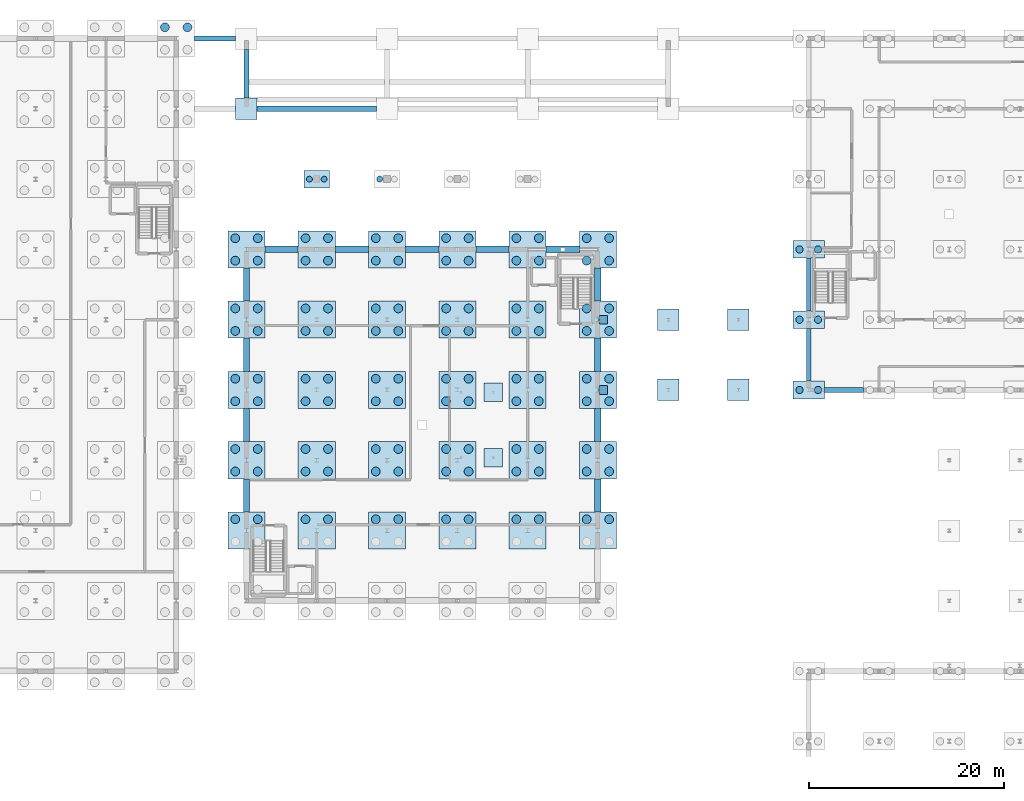
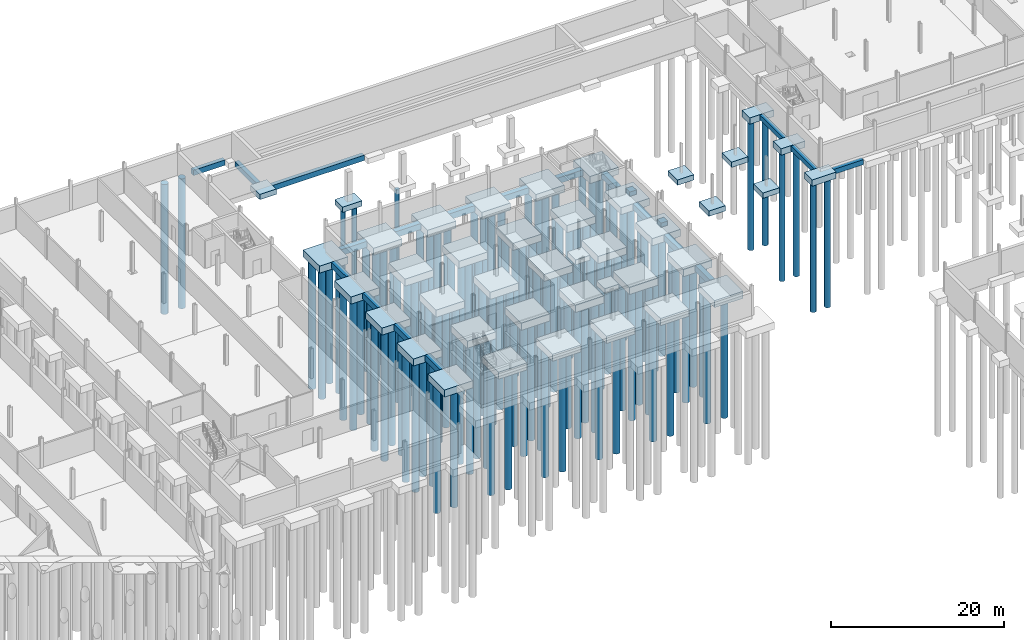
# One storey, part 5 of 50: 119 piles, 62 footings.
"""IFC4 building model written with IfcOpenShell, lengths in metres."""

from ifc_helpers import new_model, si_unit, direction, frame, origin, origin_2d, place, context, subcontext, project, spatial, rectangle, circle, extrude, material, layer, layer_set, material_profile, profile_set, type_object, element, save


model = new_model("IFC4")

# Units and contexts
model_context = context("Model", 3, precision=1e-05, world=origin(), true_north=direction((0.0, 1.0)))
body_context = subcontext(model_context, "Body", "Model", "MODEL_VIEW")
ifc_project = project(units=[si_unit("LENGTHUNIT", "METRE"), si_unit("AREAUNIT", "SQUARE_METRE"), si_unit("VOLUMEUNIT", "CUBIC_METRE"), si_unit("PLANEANGLEUNIT", "RADIAN"), si_unit("MASSUNIT", "GRAM", prefix="KILO")], contexts=[model_context])

# Site, building, storey
site_placement = place(None, origin())
site = spatial("IfcSite", under=ifc_project, at=site_placement, CompositionType="ELEMENT")
building_placement = place(site_placement, origin())
building = spatial("IfcBuilding", under=site, at=building_placement, Name="Narikvali Park Central Library", CompositionType="ELEMENT")
storey_placement = place(building_placement, frame((0.0, 0.0, -4.199951171875)))
storey = spatial("IfcBuildingStorey", under=building, at=storey_placement, Name="B1", CompositionType="ELEMENT", Elevation=-4.199951171875)

# Piles
ifc_material = material(Name="Concrete C35/45", Category="concrete")
ifc_material_profile_1 = material_profile(ifc_material, circle(Radius=0.300048828125, at=origin_2d()), Name="PILE D600")
ifc_profile_set_1 = profile_set([ifc_material_profile_1], Name="Concrete C35/45")
pile_type_1 = type_object("IfcPileType", Name="Bored Pile D600", PredefinedType="BORED", material=ifc_profile_set_1)
for number, where, z_axis, x_axis, name in (
    (1, (71.25, 100.800048828125, -0.650146484375), (0.0, 0.0, -1.0), (1.0, 0.0, 0.0), "Entrance Arch Bored Pile (71.25,100.8)"),
    (2, (72.75, 100.800048828125, -0.650146484375), (0.0, 0.0, -1.0), (1.0, 0.0, 0.0), "Entrance Arch Bored Pile (72.75,100.8)"),
    (3, (78.449951171875, 100.800048828125, -0.650146484375), (0.0, 0.0, -1.0), (1.0, 0.0, 0.0), "Entrance Arch Bored Pile (78.45,100.8)"),
):
    element("IfcPile", number, at=place(storey_placement, frame(where, z_axis=z_axis, x_axis=x_axis)), inside=storey, type_object=pile_type_1, Name=name, PredefinedType="BORED", context=body_context, shape_type="SweptSolid", body=[
        extrude(circle(Radius=0.300048828125, at=origin_2d()), origin(), (0.0, 0.0, 1.0), 19.14990234375),
    ])
ifc_material_profile_2 = material_profile(ifc_material, circle(Radius=0.375, at=origin_2d()), Name="PILE D750")
ifc_profile_set_2 = profile_set([ifc_material_profile_2], Name="Concrete C35/45")
pile_type_2 = type_object("IfcPileType", Name="Bored Pile D750", PredefinedType="BORED", material=ifc_profile_set_2)
for number, where, z_axis, x_axis, name in (
    (4, (121.449951171875, 79.199951171875, -1.400146484375), (0.0, 0.0, -1.0), (1.0, 0.0, 0.0), "Bored Pile (121.45,79.20)"),
    (5, (123.35009765625, 79.199951171875, -1.400146484375), (0.0, 0.0, -1.0), (1.0, 0.0, 0.0), "Bored Pile (123.35,79.20)"),
    (6, (121.449951171875, 86.39990234375, -1.400146484375), (0.0, 0.0, -1.0), (1.0, 0.0, 0.0), "Bored Pile (121.45,86.40)"),
    (7, (123.35009765625, 86.39990234375, -1.400146484375), (0.0, 0.0, -1.0), (1.0, 0.0, 0.0), "Bored Pile (123.35,86.40)"),
    (8, (121.449951171875, 93.60009765625, -1.400146484375), (0.0, 0.0, -1.0), (1.0, 0.0, 0.0), "Bored Pile (121.45,93.60)"),
    (9, (123.35009765625, 93.60009765625, -1.400146484375), (0.0, 0.0, -1.0), (1.0, 0.0, 0.0), "Bored Pile (123.35,93.60)"),
):
    element("IfcPile", number, at=place(storey_placement, frame(where, z_axis=z_axis, x_axis=x_axis)), inside=storey, type_object=pile_type_2, Name=name, PredefinedType="BORED", context=body_context, shape_type="SweptSolid", body=[
        extrude(circle(Radius=0.375, at=origin_2d()), origin(), (0.0, 0.0, 1.0), 18.39990234375),
    ])
ifc_material_profile_3 = material_profile(ifc_material, circle(Radius=0.449951171875, at=origin_2d()), Name="PILE D900")
ifc_profile_set_3 = profile_set([ifc_material_profile_3], Name="Concrete C35/45")
pile_type_3 = type_object("IfcPileType", Name="Bored Pile D900", PredefinedType="BORED", material=ifc_profile_set_3)
for number, where, z_axis, x_axis, name in (
    (10, (63.64990234375, 65.949951171875, -1.5), (0.0, 0.0, -1.0), (1.0, 0.0, 0.0), "Bored Pile (63.65,65.95)"),
    (11, (65.949951171875, 65.949951171875, -1.5), (0.0, 0.0, -1.0), (1.0, 0.0, 0.0), "Bored Pile (65.95,65.95)"),
    (12, (63.64990234375, 70.85009765625, -1.5), (0.0, 0.0, -1.0), (1.0, 0.0, 0.0), "Bored Pile (63.65,70.85)"),
    (13, (65.949951171875, 70.85009765625, -1.5), (0.0, 0.0, -1.0), (1.0, 0.0, 0.0), "Bored Pile (65.95,70.85)"),
    (14, (63.64990234375, 73.14990234375, -1.5), (0.0, 0.0, -1.0), (1.0, 0.0, 0.0), "Bored Pile (63.65,73.15)"),
    (15, (65.949951171875, 73.14990234375, -1.5), (0.0, 0.0, -1.0), (1.0, 0.0, 0.0), "Bored Pile (65.95,73.15)"),
    (16, (63.64990234375, 78.050048828125, -1.5), (0.0, 0.0, -1.0), (1.0, 0.0, 0.0), "Bored Pile (63.65,78.05)"),
    (17, (65.949951171875, 78.050048828125, -1.5), (0.0, 0.0, -1.0), (1.0, 0.0, 0.0), "Bored Pile (65.95,78.05)"),
    (18, (63.64990234375, 80.35009765625, -1.5), (0.0, 0.0, -1.0), (1.0, 0.0, 0.0), "Bored Pile (63.65,80.35)"),
    (19, (65.949951171875, 80.35009765625, -1.5), (0.0, 0.0, -1.0), (1.0, 0.0, 0.0), "Bored Pile (65.95,80.35)"),
    (20, (63.64990234375, 85.25, -1.5), (0.0, 0.0, -1.0), (1.0, 0.0, 0.0), "Bored Pile (63.65,85.25)"),
    (21, (65.949951171875, 85.25, -1.5), (0.0, 0.0, -1.0), (1.0, 0.0, 0.0), "Bored Pile (65.95,85.25)"),
    (22, (63.64990234375, 87.550048828125, -1.5), (0.0, 0.0, -1.0), (1.0, 0.0, 0.0), "Bored Pile (63.65,87.55)"),
    (23, (65.949951171875, 87.550048828125, -1.5), (0.0, 0.0, -1.0), (1.0, 0.0, 0.0), "Bored Pile (65.95,87.55)"),
    (24, (63.64990234375, 92.449951171875, -1.5), (0.0, 0.0, -1.0), (1.0, 0.0, 0.0), "Bored Pile (63.65,92.45)"),
    (25, (65.949951171875, 92.449951171875, -1.5), (0.0, 0.0, -1.0), (1.0, 0.0, 0.0), "Bored Pile (65.95,92.45)"),
    (26, (63.64990234375, 94.75, -1.5), (0.0, 0.0, -1.0), (1.0, 0.0, 0.0), "Bored Pile (63.65,94.75)"),
    (27, (65.949951171875, 94.75, -1.5), (0.0, 0.0, -1.0), (1.0, 0.0, 0.0), "Bored Pile (65.95,94.75)"),
    (28, (70.85009765625, 65.949951171875, -1.5), (0.0, 0.0, -1.0), (1.0, 0.0, 0.0), "Bored Pile (70.85,65.95)"),
    (29, (73.14990234375, 65.949951171875, -1.5), (0.0, 0.0, -1.0), (1.0, 0.0, 0.0), "Bored Pile (73.15,65.95)"),
    (30, (70.85009765625, 70.85009765625, -1.5), (0.0, 0.0, -1.0), (1.0, 0.0, 0.0), "Bored Pile (70.85,70.85)"),
    (31, (73.14990234375, 70.85009765625, -1.5), (0.0, 0.0, -1.0), (1.0, 0.0, 0.0), "Bored Pile (73.15,70.85)"),
    (32, (70.85009765625, 73.14990234375, -1.5), (0.0, 0.0, -1.0), (1.0, 0.0, 0.0), "Bored Pile (70.85,73.15)"),
    (33, (73.14990234375, 73.14990234375, -1.5), (0.0, 0.0, -1.0), (1.0, 0.0, 0.0), "Bored Pile (73.15,73.15)"),
    (34, (70.85009765625, 78.050048828125, -1.5), (0.0, 0.0, -1.0), (1.0, 0.0, 0.0), "Bored Pile (70.85,78.05)"),
    (35, (73.14990234375, 78.050048828125, -1.5), (0.0, 0.0, -1.0), (1.0, 0.0, 0.0), "Bored Pile (73.15,78.05)"),
    (36, (70.85009765625, 80.35009765625, -1.5), (0.0, 0.0, -1.0), (1.0, 0.0, 0.0), "Bored Pile (70.85,80.35)"),
    (37, (73.14990234375, 80.35009765625, -1.5), (0.0, 0.0, -1.0), (1.0, 0.0, 0.0), "Bored Pile (73.15,80.35)"),
    (38, (70.85009765625, 85.25, -1.5), (0.0, 0.0, -1.0), (1.0, 0.0, 0.0), "Bored Pile (70.85,85.25)"),
    (39, (73.14990234375, 85.25, -1.5), (0.0, 0.0, -1.0), (1.0, 0.0, 0.0), "Bored Pile (73.15,85.25)"),
    (40, (70.85009765625, 87.550048828125, -1.5), (0.0, 0.0, -1.0), (1.0, 0.0, 0.0), "Bored Pile (70.85,87.55)"),
    (41, (73.14990234375, 87.550048828125, -1.5), (0.0, 0.0, -1.0), (1.0, 0.0, 0.0), "Bored Pile (73.15,87.55)"),
    (42, (70.85009765625, 92.449951171875, -1.5), (0.0, 0.0, -1.0), (1.0, 0.0, 0.0), "Bored Pile (70.85,92.45)"),
    (43, (73.14990234375, 92.449951171875, -1.5), (0.0, 0.0, -1.0), (1.0, 0.0, 0.0), "Bored Pile (73.15,92.45)"),
    (44, (70.85009765625, 94.75, -1.5), (0.0, 0.0, -1.0), (1.0, 0.0, 0.0), "Bored Pile (70.85,94.75)"),
    (45, (73.14990234375, 94.75, -1.5), (0.0, 0.0, -1.0), (1.0, 0.0, 0.0), "Bored Pile (73.15,94.75)"),
    (46, (78.050048828125, 65.949951171875, -1.5), (0.0, 0.0, -1.0), (1.0, 0.0, 0.0), "Bored Pile (78.05,65.95)"),
    (47, (80.35009765625, 65.949951171875, -1.5), (0.0, 0.0, -1.0), (1.0, 0.0, 0.0), "Bored Pile (80.35,65.95)"),
    (48, (78.050048828125, 70.85009765625, -1.5), (0.0, 0.0, -1.0), (1.0, 0.0, 0.0), "Bored Pile (78.05,70.85)"),
    (49, (80.35009765625, 70.85009765625, -1.5), (0.0, 0.0, -1.0), (1.0, 0.0, 0.0), "Bored Pile (80.35,70.85)"),
    (50, (78.050048828125, 73.14990234375, -1.5), (0.0, 0.0, -1.0), (1.0, 0.0, 0.0), "Bored Pile (78.05,73.15)"),
    (51, (80.35009765625, 73.14990234375, -1.5), (0.0, 0.0, -1.0), (1.0, 0.0, 0.0), "Bored Pile (80.35,73.15)"),
    (52, (78.050048828125, 78.050048828125, -1.5), (0.0, 0.0, -1.0), (1.0, 0.0, 0.0), "Bored Pile (78.05,78.05)"),
    (53, (80.35009765625, 78.050048828125, -1.5), (0.0, 0.0, -1.0), (1.0, 0.0, 0.0), "Bored Pile (80.35,78.05)"),
    (54, (78.050048828125, 80.35009765625, -1.5), (0.0, 0.0, -1.0), (1.0, 0.0, 0.0), "Bored Pile (78.05,80.35)"),
    (55, (80.35009765625, 80.35009765625, -1.5), (0.0, 0.0, -1.0), (1.0, 0.0, 0.0), "Bored Pile (80.35,80.35)"),
    (56, (78.050048828125, 85.25, -1.5), (0.0, 0.0, -1.0), (1.0, 0.0, 0.0), "Bored Pile (78.05,85.25)"),
    (57, (80.35009765625, 85.25, -1.5), (0.0, 0.0, -1.0), (1.0, 0.0, 0.0), "Bored Pile (80.35,85.25)"),
    (58, (78.050048828125, 87.550048828125, -1.5), (0.0, 0.0, -1.0), (1.0, 0.0, 0.0), "Bored Pile (78.05,87.55)"),
    (59, (80.35009765625, 87.550048828125, -1.5), (0.0, 0.0, -1.0), (1.0, 0.0, 0.0), "Bored Pile (80.35,87.55)"),
    (60, (78.050048828125, 92.449951171875, -1.5), (0.0, 0.0, -1.0), (1.0, 0.0, 0.0), "Bored Pile (78.05,92.45)"),
    (61, (80.35009765625, 92.449951171875, -1.5), (0.0, 0.0, -1.0), (1.0, 0.0, 0.0), "Bored Pile (80.35,92.45)"),
    (62, (78.050048828125, 94.75, -1.5), (0.0, 0.0, -1.0), (1.0, 0.0, 0.0), "Bored Pile (78.05,94.75)"),
    (63, (80.35009765625, 94.75, -1.5), (0.0, 0.0, -1.0), (1.0, 0.0, 0.0), "Bored Pile (80.35,94.75)"),
    (64, (85.25, 65.949951171875, -1.5), (0.0, 0.0, -1.0), (1.0, 0.0, 0.0), "Bored Pile (85.25,65.95)"),
    (65, (87.550048828125, 65.949951171875, -1.5), (0.0, 0.0, -1.0), (1.0, 0.0, 0.0), "Bored Pile (87.55,65.95)"),
    (66, (85.25, 70.85009765625, -1.5), (0.0, 0.0, -1.0), (1.0, 0.0, 0.0), "Bored Pile (85.25,70.85)"),
    (67, (87.550048828125, 70.85009765625, -1.5), (0.0, 0.0, -1.0), (1.0, 0.0, 0.0), "Bored Pile (87.55,70.85)"),
    (68, (85.25, 73.14990234375, -1.5), (0.0, 0.0, -1.0), (1.0, 0.0, 0.0), "Bored Pile (85.25,73.15)"),
    (69, (87.550048828125, 73.14990234375, -1.5), (0.0, 0.0, -1.0), (1.0, 0.0, 0.0), "Bored Pile (87.55,73.15)"),
    (70, (85.25, 78.050048828125, -1.5), (0.0, 0.0, -1.0), (1.0, 0.0, 0.0), "Bored Pile (85.25,78.05)"),
    (71, (87.550048828125, 78.050048828125, -1.5), (0.0, 0.0, -1.0), (1.0, 0.0, 0.0), "Bored Pile (87.55,78.05)"),
    (72, (85.25, 80.35009765625, -1.5), (0.0, 0.0, -1.0), (1.0, 0.0, 0.0), "Bored Pile (85.25,80.35)"),
    (73, (87.550048828125, 80.35009765625, -1.5), (0.0, 0.0, -1.0), (1.0, 0.0, 0.0), "Bored Pile (87.55,80.35)"),
    (74, (85.25, 85.25, -1.5), (0.0, 0.0, -1.0), (1.0, 0.0, 0.0), "Bored Pile (85.25,85.25)"),
    (75, (87.550048828125, 85.25, -1.5), (0.0, 0.0, -1.0), (1.0, 0.0, 0.0), "Bored Pile (87.55,85.25)"),
    (76, (85.25, 87.550048828125, -1.5), (0.0, 0.0, -1.0), (1.0, 0.0, 0.0), "Bored Pile (85.25,87.55)"),
    (77, (87.550048828125, 87.550048828125, -1.5), (0.0, 0.0, -1.0), (1.0, 0.0, 0.0), "Bored Pile (87.55,87.55)"),
    (78, (85.25, 92.449951171875, -1.5), (0.0, 0.0, -1.0), (1.0, 0.0, 0.0), "Bored Pile (85.25,92.45)"),
    (79, (87.550048828125, 92.449951171875, -1.5), (0.0, 0.0, -1.0), (1.0, 0.0, 0.0), "Bored Pile (87.55,92.45)"),
    (80, (85.25, 94.75, -1.5), (0.0, 0.0, -1.0), (1.0, 0.0, 0.0), "Bored Pile (85.25,94.75)"),
    (81, (87.550048828125, 94.75, -1.5), (0.0, 0.0, -1.0), (1.0, 0.0, 0.0), "Bored Pile (87.55,94.75)"),
    (82, (92.449951171875, 65.949951171875, -1.5), (0.0, 0.0, -1.0), (1.0, 0.0, 0.0), "Bored Pile (92.45,65.95)"),
    (83, (94.75, 65.949951171875, -1.5), (0.0, 0.0, -1.0), (1.0, 0.0, 0.0), "Bored Pile (94.75,65.95)"),
    (84, (92.449951171875, 70.85009765625, -1.5), (0.0, 0.0, -1.0), (1.0, 0.0, 0.0), "Bored Pile (92.45,70.85)"),
    (85, (94.75, 70.85009765625, -1.5), (0.0, 0.0, -1.0), (1.0, 0.0, 0.0), "Bored Pile (94.75,70.85)"),
    (86, (92.449951171875, 73.14990234375, -1.5), (0.0, 0.0, -1.0), (1.0, 0.0, 0.0), "Bored Pile (92.45,73.15)"),
    (87, (94.75, 73.14990234375, -1.5), (0.0, 0.0, -1.0), (1.0, 0.0, 0.0), "Bored Pile (94.75,73.15)"),
    (88, (92.449951171875, 78.050048828125, -1.5), (0.0, 0.0, -1.0), (1.0, 0.0, 0.0), "Bored Pile (92.45,78.05)"),
    (89, (94.75, 78.050048828125, -1.5), (0.0, 0.0, -1.0), (1.0, 0.0, 0.0), "Bored Pile (94.75,78.05)"),
    (90, (92.449951171875, 80.35009765625, -1.5), (0.0, 0.0, -1.0), (1.0, 0.0, 0.0), "Bored Pile (92.45,80.35)"),
    (91, (94.75, 80.35009765625, -1.5), (0.0, 0.0, -1.0), (1.0, 0.0, 0.0), "Bored Pile (94.75,80.35)"),
    (92, (92.449951171875, 85.25, -1.5), (0.0, 0.0, -1.0), (1.0, 0.0, 0.0), "Bored Pile (92.45,85.25)"),
    (93, (94.75, 85.25, -1.5), (0.0, 0.0, -1.0), (1.0, 0.0, 0.0), "Bored Pile (94.75,85.25)"),
    (94, (92.449951171875, 87.550048828125, -1.5), (0.0, 0.0, -1.0), (1.0, 0.0, 0.0), "Bored Pile (92.45,87.55)"),
    (95, (94.75, 87.550048828125, -1.5), (0.0, 0.0, -1.0), (1.0, 0.0, 0.0), "Bored Pile (94.75,87.55)"),
    (96, (92.449951171875, 92.449951171875, -1.5), (0.0, 0.0, -1.0), (1.0, 0.0, 0.0), "Bored Pile (92.45,92.45)"),
    (97, (94.75, 92.449951171875, -1.5), (0.0, 0.0, -1.0), (1.0, 0.0, 0.0), "Bored Pile (94.75,92.45)"),
    (98, (92.449951171875, 94.75, -1.5), (0.0, 0.0, -1.0), (1.0, 0.0, 0.0), "Bored Pile (92.45,94.75)"),
    (99, (94.75, 94.75, -1.5), (0.0, 0.0, -1.0), (1.0, 0.0, 0.0), "Bored Pile (94.75,94.75)"),
    (100, (99.64990234375, 65.949951171875, -1.5), (0.0, 0.0, -1.0), (1.0, 0.0, 0.0), "Bored Pile (99.65,65.95)"),
    (101, (101.949951171875, 65.949951171875, -1.5), (0.0, 0.0, -1.0), (1.0, 0.0, 0.0), "Bored Pile (101.95,65.95)"),
    (102, (99.64990234375, 70.85009765625, -1.5), (0.0, 0.0, -1.0), (1.0, 0.0, 0.0), "Bored Pile (99.65,70.85)"),
    (103, (101.949951171875, 70.85009765625, -1.5), (0.0, 0.0, -1.0), (1.0, 0.0, 0.0), "Bored Pile (101.95,70.85)"),
    (104, (99.64990234375, 73.14990234375, -1.5), (0.0, 0.0, -1.0), (1.0, 0.0, 0.0), "Bored Pile (99.65,73.15)"),
    (105, (101.949951171875, 73.14990234375, -1.5), (0.0, 0.0, -1.0), (1.0, 0.0, 0.0), "Bored Pile (101.95,73.15)"),
    (106, (99.64990234375, 78.050048828125, -1.5), (0.0, 0.0, -1.0), (1.0, 0.0, 0.0), "Bored Pile (99.65,78.05)"),
    (107, (101.949951171875, 78.050048828125, -1.5), (0.0, 0.0, -1.0), (1.0, 0.0, 0.0), "Bored Pile (101.95,78.05)"),
    (108, (99.64990234375, 80.35009765625, -1.5), (0.0, 0.0, -1.0), (1.0, 0.0, 0.0), "Bored Pile (99.65,80.35)"),
    (109, (101.949951171875, 80.35009765625, -1.5), (0.0, 0.0, -1.0), (1.0, 0.0, 0.0), "Bored Pile (101.95,80.35)"),
    (110, (99.64990234375, 85.25, -1.5), (0.0, 0.0, -1.0), (1.0, 0.0, 0.0), "Bored Pile (99.65,85.25)"),
    (111, (101.949951171875, 85.25, -1.5), (0.0, 0.0, -1.0), (1.0, 0.0, 0.0), "Bored Pile (101.95,85.25)"),
    (112, (99.64990234375, 87.550048828125, -1.5), (0.0, 0.0, -1.0), (1.0, 0.0, 0.0), "Bored Pile (99.65,87.55)"),
    (113, (101.949951171875, 87.550048828125, -1.5), (0.0, 0.0, -1.0), (1.0, 0.0, 0.0), "Bored Pile (101.95,87.55)"),
    (114, (99.64990234375, 92.449951171875, -1.5), (0.0, 0.0, -1.0), (1.0, 0.0, 0.0), "Bored Pile (99.65,92.45)"),
    (115, (101.949951171875, 92.449951171875, -1.5), (0.0, 0.0, -1.0), (1.0, 0.0, 0.0), "Bored Pile (101.95,92.45)"),
    (116, (99.64990234375, 94.75, -1.5), (0.0, 0.0, -1.0), (1.0, 0.0, 0.0), "Bored Pile (99.65,94.75)"),
    (117, (101.949951171875, 94.75, -1.5), (0.0, 0.0, -1.0), (1.0, 0.0, 0.0), "Bored Pile (101.95,94.75)"),
    (118, (56.449951171875, 116.35009765625, -1.5), (0.0, 0.0, -1.0), (1.0, 0.0, 0.0), "Bored Pile (56.45,116.35)"),
    (119, (58.75, 116.35009765625, -1.5), (0.0, 0.0, -1.0), (1.0, 0.0, 0.0), "Bored Pile (58.75,116.35)"),
):
    element("IfcPile", number, at=place(storey_placement, frame(where, z_axis=z_axis, x_axis=x_axis)), inside=storey, type_object=pile_type_3, Name=name, PredefinedType="BORED", context=body_context, shape_type="SweptSolid", body=[
        extrude(circle(Radius=0.449951171875, at=origin_2d()), origin(), (0.0, 0.0, 1.0), 18.300048828125),
    ])

# Footings
ifc_layer_1 = layer(ifc_material, 0.60009765625, Name="Concrete C35/45")
ifc_layer_set_1 = layer_set([ifc_layer_1], Name="Concrete C35/45")
footing_type_1 = type_object("IfcFootingType", Name="Bridge Corbel Pedestal 900x900x600", PredefinedType="PAD_FOOTING", material=ifc_layer_set_1)
for number, where, z_axis, x_axis, name in (
    (120, (101.35009765625, 79.199951171875, -0.60009765625), (0.0, 0.0, 1.0), (1.0, 0.0, 0.0), "BRG-3 Bridge Corbel Pedestal"),
    (121, (101.35009765625, 86.39990234375, -0.60009765625), (0.0, 0.0, 1.0), (1.0, 0.0, 0.0), "BRG-3 Bridge Corbel Pedestal"),
):
    element("IfcFooting", number, at=place(storey_placement, frame(where, z_axis=z_axis, x_axis=x_axis)), inside=storey, type_object=footing_type_1, Name=name, PredefinedType="PAD_FOOTING", context=body_context, shape_type="SweptSolid", body=[
        extrude(rectangle(XDim=0.89990234375, YDim=0.89990234375, at=origin_2d()), origin(), (0.0, 0.0, 1.0), 0.60009765625),
    ])
ifc_layer_2 = layer(ifc_material, 0.75, Name="Concrete C35/45")
ifc_layer_set_2 = layer_set([ifc_layer_2], Name="Concrete C35/45")
footing_type_2 = type_object("IfcFootingType", Name="Colonnade Pad Footing 2200x2200x750", PredefinedType="PAD_FOOTING", material=ifc_layer_set_2)
for number, where, z_axis, x_axis, name in (
    (122, (64.800048828125, 108.0, -0.75), (0.0, 0.0, 1.0), (1.0, 0.0, 0.0), "Forecourt Retaining Pad Footing (64.8,108.0)"),
    (123, (108.0, 79.199951171875, -0.75), (0.0, 0.0, 1.0), (1.0, 0.0, 0.0), "BRG-3 Bridge Pier Pad Footing"),
    (124, (108.0, 86.39990234375, -0.75), (0.0, 0.0, 1.0), (1.0, 0.0, 0.0), "BRG-3 Bridge Pier Pad Footing"),
    (125, (115.199951171875, 79.199951171875, -0.75), (0.0, 0.0, 1.0), (1.0, 0.0, 0.0), "BRG-3 Bridge Pier Pad Footing"),
    (126, (115.199951171875, 86.39990234375, -0.75), (0.0, 0.0, 1.0), (1.0, 0.0, 0.0), "BRG-3 Bridge Pier Pad Footing"),
):
    element("IfcFooting", number, at=place(storey_placement, frame(where, z_axis=z_axis, x_axis=x_axis)), inside=storey, type_object=footing_type_2, Name=name, PredefinedType="PAD_FOOTING", context=body_context, shape_type="SweptSolid", body=[
        extrude(rectangle(XDim=2.199951171875, YDim=2.199951171875, at=origin_2d()), origin(), (0.0, 0.0, 1.0), 0.75),
    ])
ifc_layer_3 = layer(ifc_material, 0.75, Name="Concrete C35/45")
ifc_layer_set_3 = layer_set([ifc_layer_3], Name="Concrete C35/45")
footing_type_3 = type_object("IfcFootingType", Name="Entrance Arch Two Pile Cap 2600x1800x750", PredefinedType="PILE_CAP", material=ifc_layer_set_3)
footing_1_placement = place(storey_placement, frame((72.0, 100.800048828125, -0.75), z_axis=(0.0, 0.0, 1.0), x_axis=(1.0, 0.0, 0.0)))
element("IfcFooting", 127, at=footing_1_placement, inside=storey, type_object=footing_type_3, Name="Entrance Arch Pile Cap (72.0,100.8)", PredefinedType="PILE_CAP", context=body_context, shape_type="SweptSolid", body=[
    extrude(rectangle(XDim=2.60009765625, YDim=1.800048828125, at=origin_2d()), origin(), (0.0, 0.0, 1.0), 0.75),
])
ifc_layer_4 = layer(ifc_material, 0.699951171875, Name="Concrete C35/45")
ifc_layer_set_4 = layer_set([ifc_layer_4], Name="Concrete C35/45")
footing_type_4 = type_object("IfcFootingType", Name="Forecourt Pier Pad Footing 1900x1900x700", PredefinedType="PAD_FOOTING", material=ifc_layer_set_4)
for number, where, z_axis, x_axis, name in (
    (128, (90.070068359375, 72.239990234375, -1.2998046875), (0.0, 0.0, 1.0), (1.0, 0.0, 0.0), "ST-13 Post Pad Footing SE"),
    (129, (90.070068359375, 78.9599609375, -1.2998046875), (0.0, 0.0, 1.0), (1.0, 0.0, 0.0), "ST-13 Post Pad Footing NE"),
):
    element("IfcFooting", number, at=place(storey_placement, frame(where, z_axis=z_axis, x_axis=x_axis)), inside=storey, type_object=footing_type_4, Name=name, PredefinedType="PAD_FOOTING", context=body_context, shape_type="SweptSolid", body=[
        extrude(rectangle(XDim=1.89990234375, YDim=1.89990234375, at=origin_2d()), origin(), (0.0, 0.0, 1.0), 0.699951171875),
    ])
ifc_material_profile_4 = material_profile(ifc_material, rectangle(XDim=0.550048828125, YDim=0.75, at=origin_2d()), Name="RC GB 550x750")
ifc_profile_set_4 = profile_set([ifc_material_profile_4], Name="Concrete C35/45")
footing_type_5 = type_object("IfcFootingType", Name="Forecourt Strip Footing 550x750", PredefinedType="STRIP_FOOTING", material=ifc_profile_set_4)
footing_2_placement = place(storey_placement, frame((65.89990234375, 108.0, -0.375), z_axis=(1.0, 0.0, 0.0), x_axis=(0.0, 1.0, 0.0)))
element("IfcFooting", 130, at=footing_2_placement, inside=storey, type_object=footing_type_5, Name="Forecourt Tie Footing Y=108.0 (64.8..79.2)", PredefinedType="STRIP_FOOTING", context=body_context, shape_type="SweptSolid", body=[
    extrude(rectangle(XDim=0.550048828125, YDim=0.75, at=origin_2d()), origin(), (0.0, 0.0, 1.0), 12.2001953125),
])
footing_3_placement = place(storey_placement, frame((59.5, 115.199951171875, -0.375), z_axis=(1.0, 0.0, 0.0), x_axis=(0.0, 1.0, 0.0)))
element("IfcFooting", 131, at=footing_3_placement, inside=storey, type_object=footing_type_5, Name="Forecourt Tie Footing Y=115.2 (57.6..64.8)", PredefinedType="STRIP_FOOTING", context=body_context, shape_type="SweptSolid", body=[
    extrude(rectangle(XDim=0.550048828125, YDim=0.75, at=origin_2d()), origin(), (0.0, 0.0, 1.0), 4.199951171875),
])
footing_4_placement = place(storey_placement, frame((64.800048828125, 109.10009765625, -0.375), z_axis=(0.0, 1.0, 0.0), x_axis=(-1.0, 0.0, 0.0)))
element("IfcFooting", 132, at=footing_4_placement, inside=storey, type_object=footing_type_5, Name="Forecourt Cross Tie Footing X=64.8", PredefinedType="STRIP_FOOTING", context=body_context, shape_type="SweptSolid", body=[
    extrude(rectangle(XDim=0.550048828125, YDim=0.75, at=origin_2d()), origin(), (0.0, 0.0, 1.0), 5.0),
])
ifc_layer_5 = layer(ifc_material, 1.0, Name="Concrete C35/45")
ifc_layer_set_5 = layer_set([ifc_layer_5], Name="Concrete C35/45")
footing_type_6 = type_object("IfcFootingType", Name="Four Pile Cap 3800x3800x1000", PredefinedType="PILE_CAP", material=ifc_layer_set_5)
for number, where, z_axis, x_axis, name in (
    (133, (64.800048828125, 64.800048828125, -1.60009765625), (0.0, 0.0, 1.0), (1.0, 0.0, 0.0), "Pile Cap (64.8,64.8)"),
    (134, (64.800048828125, 72.0, -1.60009765625), (0.0, 0.0, 1.0), (1.0, 0.0, 0.0), "Pile Cap (64.8,72.0)"),
    (135, (64.800048828125, 79.199951171875, -1.60009765625), (0.0, 0.0, 1.0), (1.0, 0.0, 0.0), "Pile Cap (64.8,79.2)"),
    (136, (64.800048828125, 86.39990234375, -1.60009765625), (0.0, 0.0, 1.0), (1.0, 0.0, 0.0), "Pile Cap (64.8,86.4)"),
    (137, (64.800048828125, 93.60009765625, -1.60009765625), (0.0, 0.0, 1.0), (1.0, 0.0, 0.0), "Pile Cap (64.8,93.6)"),
    (138, (72.0, 64.800048828125, -1.60009765625), (0.0, 0.0, 1.0), (1.0, 0.0, 0.0), "Pile Cap (72.0,64.8)"),
    (139, (72.0, 72.0, -1.60009765625), (0.0, 0.0, 1.0), (1.0, 0.0, 0.0), "Pile Cap (72.0,72.0)"),
    (140, (72.0, 79.199951171875, -1.60009765625), (0.0, 0.0, 1.0), (1.0, 0.0, 0.0), "Pile Cap (72.0,79.2)"),
    (141, (72.0, 86.39990234375, -1.60009765625), (0.0, 0.0, 1.0), (1.0, 0.0, 0.0), "Pile Cap (72.0,86.4)"),
    (142, (72.0, 93.60009765625, -1.60009765625), (0.0, 0.0, 1.0), (1.0, 0.0, 0.0), "Pile Cap (72.0,93.6)"),
    (143, (79.199951171875, 64.800048828125, -1.60009765625), (0.0, 0.0, 1.0), (1.0, 0.0, 0.0), "Pile Cap (79.2,64.8)"),
    (144, (79.199951171875, 72.0, -1.60009765625), (0.0, 0.0, 1.0), (1.0, 0.0, 0.0), "Pile Cap (79.2,72.0)"),
    (145, (79.199951171875, 79.199951171875, -1.60009765625), (0.0, 0.0, 1.0), (1.0, 0.0, 0.0), "Pile Cap (79.2,79.2)"),
    (146, (79.199951171875, 86.39990234375, -1.60009765625), (0.0, 0.0, 1.0), (1.0, 0.0, 0.0), "Pile Cap (79.2,86.4)"),
    (147, (79.199951171875, 93.60009765625, -1.60009765625), (0.0, 0.0, 1.0), (1.0, 0.0, 0.0), "Pile Cap (79.2,93.6)"),
    (148, (86.39990234375, 64.800048828125, -1.60009765625), (0.0, 0.0, 1.0), (1.0, 0.0, 0.0), "Pile Cap (86.4,64.8)"),
    (149, (86.39990234375, 72.0, -1.60009765625), (0.0, 0.0, 1.0), (1.0, 0.0, 0.0), "Pile Cap (86.4,72.0)"),
    (150, (86.39990234375, 79.199951171875, -1.60009765625), (0.0, 0.0, 1.0), (1.0, 0.0, 0.0), "Pile Cap (86.4,79.2)"),
    (151, (86.39990234375, 86.39990234375, -1.60009765625), (0.0, 0.0, 1.0), (1.0, 0.0, 0.0), "Pile Cap (86.4,86.4)"),
    (152, (86.39990234375, 93.60009765625, -1.60009765625), (0.0, 0.0, 1.0), (1.0, 0.0, 0.0), "Pile Cap (86.4,93.6)"),
    (153, (93.60009765625, 64.800048828125, -1.60009765625), (0.0, 0.0, 1.0), (1.0, 0.0, 0.0), "Pile Cap (93.6,64.8)"),
    (154, (93.60009765625, 72.0, -1.60009765625), (0.0, 0.0, 1.0), (1.0, 0.0, 0.0), "Pile Cap (93.6,72.0)"),
    (155, (93.60009765625, 79.199951171875, -1.60009765625), (0.0, 0.0, 1.0), (1.0, 0.0, 0.0), "Pile Cap (93.6,79.2)"),
    (156, (93.60009765625, 86.39990234375, -1.60009765625), (0.0, 0.0, 1.0), (1.0, 0.0, 0.0), "Pile Cap (93.6,86.4)"),
    (157, (93.60009765625, 93.60009765625, -1.60009765625), (0.0, 0.0, 1.0), (1.0, 0.0, 0.0), "Pile Cap (93.6,93.6)"),
    (158, (100.800048828125, 64.800048828125, -1.60009765625), (0.0, 0.0, 1.0), (1.0, 0.0, 0.0), "Pile Cap (100.8,64.8)"),
    (159, (100.800048828125, 72.0, -1.60009765625), (0.0, 0.0, 1.0), (1.0, 0.0, 0.0), "Pile Cap (100.8,72.0)"),
    (160, (100.800048828125, 79.199951171875, -1.60009765625), (0.0, 0.0, 1.0), (1.0, 0.0, 0.0), "Pile Cap (100.8,79.2)"),
    (161, (100.800048828125, 86.39990234375, -1.60009765625), (0.0, 0.0, 1.0), (1.0, 0.0, 0.0), "Pile Cap (100.8,86.4)"),
    (162, (100.800048828125, 93.60009765625, -1.60009765625), (0.0, 0.0, 1.0), (1.0, 0.0, 0.0), "Pile Cap (100.8,93.6)"),
):
    element("IfcFooting", number, at=place(storey_placement, frame(where, z_axis=z_axis, x_axis=x_axis)), inside=storey, type_object=footing_type_6, Name=name, PredefinedType="PILE_CAP", context=body_context, shape_type="SweptSolid", body=[
        extrude(rectangle(XDim=3.800048828125, YDim=3.800048828125, at=origin_2d()), origin(), (0.0, 0.0, 1.0), 1.0),
    ])
ifc_material_profile_5 = material_profile(ifc_material, rectangle(XDim=0.5, YDim=0.699951171875, at=origin_2d()), Name="RC GB 500x700")
ifc_profile_set_5 = profile_set([ifc_material_profile_5], Name="Concrete C35/45")
footing_type_7 = type_object("IfcFootingType", Name="Pavilion Strip Tie Footing 500x700", PredefinedType="STRIP_FOOTING", material=ifc_profile_set_5)
footing_5_placement = place(storey_placement, frame((124.0, 79.199951171875, -1.0), z_axis=(1.0, 0.0, 0.0), x_axis=(0.0, 1.0, 0.0)))
element("IfcFooting", 163, at=footing_5_placement, inside=storey, type_object=footing_type_7, Name="V3 Foundation Tie Beam X", PredefinedType="STRIP_FOOTING", context=body_context, shape_type="SweptSolid", body=[
    extrude(rectangle(XDim=0.5, YDim=0.699951171875, at=origin_2d()), origin(), (0.0, 0.0, 1.0), 4.0),
])
for number, where, z_axis, x_axis, name in (
    (164, (122.39990234375, 80.10009765625, -1.0), (0.0, 1.0, 0.0), (-1.0, 0.0, 0.0), "V3 Foundation Tie Beam Y"),
    (165, (122.39990234375, 87.300048828125, -1.0), (0.0, 1.0, 0.0), (-1.0, 0.0, 0.0), "V3 Foundation Tie Beam Y"),
):
    element("IfcFooting", number, at=place(storey_placement, frame(where, z_axis=z_axis, x_axis=x_axis)), inside=storey, type_object=footing_type_7, Name=name, PredefinedType="STRIP_FOOTING", context=body_context, shape_type="SweptSolid", body=[
        extrude(rectangle(XDim=0.5, YDim=0.699951171875, at=origin_2d()), origin(), (0.0, 0.0, 1.0), 5.39990234375),
    ])
ifc_material_profile_6 = material_profile(ifc_material, rectangle(XDim=0.64990234375, YDim=0.85009765625, at=origin_2d()), Name="RC GB 650x850")
ifc_profile_set_6 = profile_set([ifc_material_profile_6], Name="Concrete C35/45")
footing_type_8 = type_object("IfcFootingType", Name="Rotunda Strip Tie Footing 650x850", PredefinedType="STRIP_FOOTING", material=ifc_profile_set_6)
for number, where, z_axis, x_axis, name in (
    (166, (66.699951171875, 93.60009765625, -1.0), (1.0, 0.0, 0.0), (0.0, 1.0, 0.0), "V1 Foundation Tie Beam X"),
    (167, (73.89990234375, 93.60009765625, -1.0), (1.0, 0.0, 0.0), (0.0, 1.0, 0.0), "V1 Foundation Tie Beam X"),
):
    element("IfcFooting", number, at=place(storey_placement, frame(where, z_axis=z_axis, x_axis=x_axis)), inside=storey, type_object=footing_type_8, Name=name, PredefinedType="STRIP_FOOTING", context=body_context, shape_type="SweptSolid", body=[
        extrude(rectangle(XDim=0.64990234375, YDim=0.85009765625, at=origin_2d()), origin(), (0.0, 0.0, 1.0), 3.400146484375),
    ])
for number, where, z_axis, x_axis, name in (
    (168, (81.10009765625, 93.60009765625, -1.0), (1.0, 0.0, 0.0), (0.0, 1.0, 0.0), "V1 Foundation Tie Beam X"),
    (169, (88.300048828125, 93.60009765625, -1.0), (1.0, 0.0, 0.0), (0.0, 1.0, 0.0), "V1 Foundation Tie Beam X"),
    (170, (95.5, 93.60009765625, -1.0), (1.0, 0.0, 0.0), (0.0, 1.0, 0.0), "V1 Foundation Tie Beam X"),
):
    element("IfcFooting", number, at=place(storey_placement, frame(where, z_axis=z_axis, x_axis=x_axis)), inside=storey, type_object=footing_type_8, Name=name, PredefinedType="STRIP_FOOTING", context=body_context, shape_type="SweptSolid", body=[
        extrude(rectangle(XDim=0.64990234375, YDim=0.85009765625, at=origin_2d()), origin(), (0.0, 0.0, 1.0), 3.39990234375),
    ])
for number, where, z_axis, x_axis, name in (
    (171, (64.800048828125, 66.699951171875, -1.0), (0.0, 1.0, 0.0), (-1.0, 0.0, 0.0), "V1 Foundation Tie Beam Y"),
    (172, (64.800048828125, 73.89990234375, -1.0), (0.0, 1.0, 0.0), (-1.0, 0.0, 0.0), "V1 Foundation Tie Beam Y"),
):
    element("IfcFooting", number, at=place(storey_placement, frame(where, z_axis=z_axis, x_axis=x_axis)), inside=storey, type_object=footing_type_8, Name=name, PredefinedType="STRIP_FOOTING", context=body_context, shape_type="SweptSolid", body=[
        extrude(rectangle(XDim=0.64990234375, YDim=0.85009765625, at=origin_2d()), origin(), (0.0, 0.0, 1.0), 3.400146484375),
    ])
for number, where, z_axis, x_axis, name in (
    (173, (64.800048828125, 81.10009765625, -1.0), (0.0, 1.0, 0.0), (-1.0, 0.0, 0.0), "V1 Foundation Tie Beam Y"),
    (174, (64.800048828125, 88.300048828125, -1.0), (0.0, 1.0, 0.0), (-1.0, 0.0, 0.0), "V1 Foundation Tie Beam Y"),
):
    element("IfcFooting", number, at=place(storey_placement, frame(where, z_axis=z_axis, x_axis=x_axis)), inside=storey, type_object=footing_type_8, Name=name, PredefinedType="STRIP_FOOTING", context=body_context, shape_type="SweptSolid", body=[
        extrude(rectangle(XDim=0.64990234375, YDim=0.85009765625, at=origin_2d()), origin(), (0.0, 0.0, 1.0), 3.39990234375),
    ])
for number, where, z_axis, x_axis, name in (
    (175, (100.800048828125, 66.699951171875, -1.0), (0.0, 1.0, 0.0), (-1.0, 0.0, 0.0), "V1 Foundation Tie Beam Y"),
    (176, (100.800048828125, 73.89990234375, -1.0), (0.0, 1.0, 0.0), (-1.0, 0.0, 0.0), "V1 Foundation Tie Beam Y"),
):
    element("IfcFooting", number, at=place(storey_placement, frame(where, z_axis=z_axis, x_axis=x_axis)), inside=storey, type_object=footing_type_8, Name=name, PredefinedType="STRIP_FOOTING", context=body_context, shape_type="SweptSolid", body=[
        extrude(rectangle(XDim=0.64990234375, YDim=0.85009765625, at=origin_2d()), origin(), (0.0, 0.0, 1.0), 3.400146484375),
    ])
for number, where, z_axis, x_axis, name in (
    (177, (100.800048828125, 81.10009765625, -1.0), (0.0, 1.0, 0.0), (-1.0, 0.0, 0.0), "V1 Foundation Tie Beam Y"),
    (178, (100.800048828125, 88.300048828125, -1.0), (0.0, 1.0, 0.0), (-1.0, 0.0, 0.0), "V1 Foundation Tie Beam Y"),
):
    element("IfcFooting", number, at=place(storey_placement, frame(where, z_axis=z_axis, x_axis=x_axis)), inside=storey, type_object=footing_type_8, Name=name, PredefinedType="STRIP_FOOTING", context=body_context, shape_type="SweptSolid", body=[
        extrude(rectangle(XDim=0.64990234375, YDim=0.85009765625, at=origin_2d()), origin(), (0.0, 0.0, 1.0), 3.39990234375),
    ])
ifc_layer_6 = layer(ifc_material, 0.89990234375, Name="Concrete C35/45")
ifc_layer_set_6 = layer_set([ifc_layer_6], Name="Concrete C35/45")
footing_type_9 = type_object("IfcFootingType", Name="Two Pile Cap 3200x1800x900", PredefinedType="PILE_CAP", material=ifc_layer_set_6)
for number, where, z_axis, x_axis, name in (
    (179, (122.39990234375, 79.199951171875, -1.5), (0.0, 0.0, 1.0), (1.0, 0.0, 0.0), "Pile Cap (122.4,79.2)"),
    (180, (122.39990234375, 86.39990234375, -1.5), (0.0, 0.0, 1.0), (1.0, 0.0, 0.0), "Pile Cap (122.4,86.4)"),
    (181, (122.39990234375, 93.60009765625, -1.5), (0.0, 0.0, 1.0), (1.0, 0.0, 0.0), "Pile Cap (122.4,93.6)"),
):
    element("IfcFooting", number, at=place(storey_placement, frame(where, z_axis=z_axis, x_axis=x_axis)), inside=storey, type_object=footing_type_9, Name=name, PredefinedType="PILE_CAP", context=body_context, shape_type="SweptSolid", body=[
        extrude(rectangle(XDim=3.199951171875, YDim=1.800048828125, at=origin_2d()), origin(), (0.0, 0.0, 1.0), 0.89990234375),
    ])

save(model, "model.ifc")
